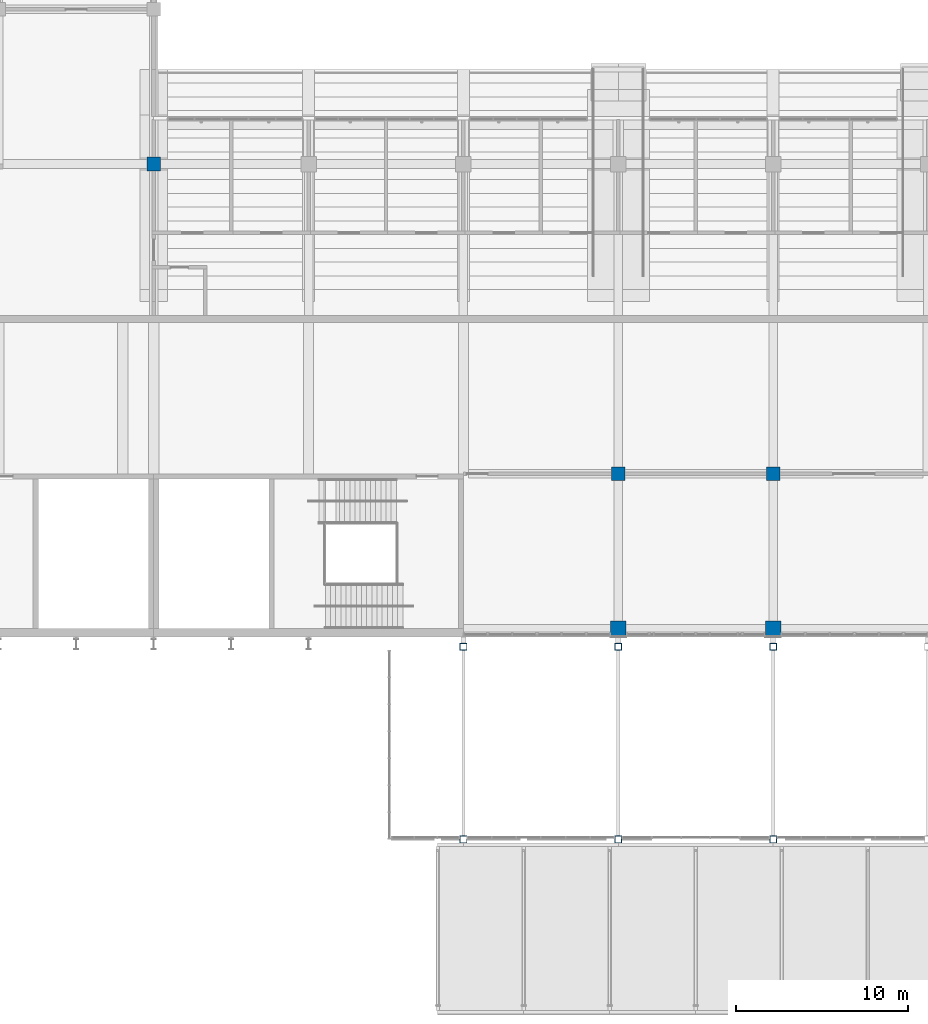
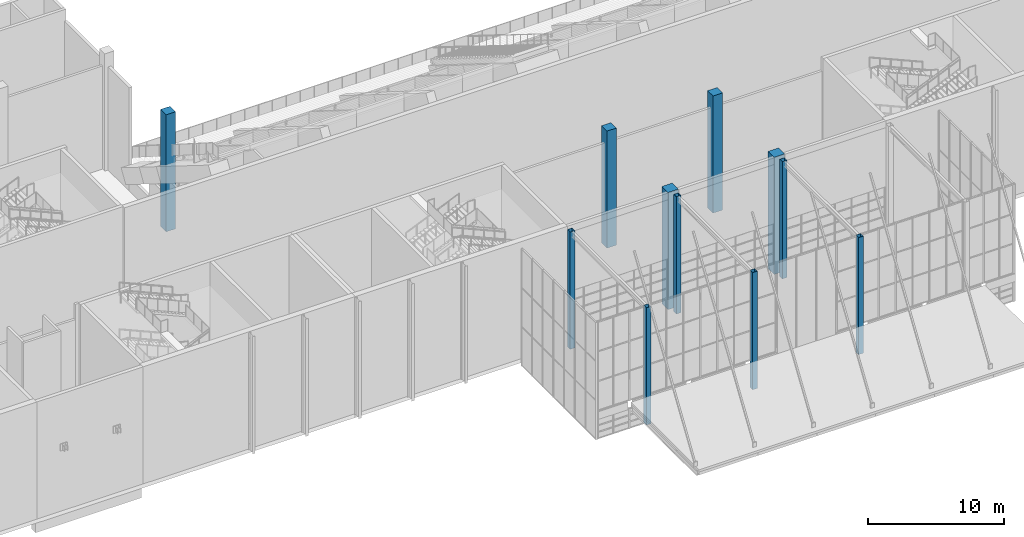
# One storey, part 3 of 182: 11 columns.
"""IFC4 building model written with IfcOpenShell, lengths in metres."""

from ifc_helpers import new_model, si_unit, direction, frame, origin, origin_2d, place, context, subcontext, project, spatial, rectangle, hollow_rectangle, extrude, material, material_profile, profile_set, type_object, element, save


model = new_model("IFC4")

# Units and contexts
model_context = context("Model", 3, precision=1e-05, world=origin(), true_north=direction((0.0, 1.0)))
body_context = subcontext(model_context, "Body", "Model", "MODEL_VIEW")
ifc_project = project(units=[si_unit("LENGTHUNIT", "METRE"), si_unit("AREAUNIT", "SQUARE_METRE"), si_unit("VOLUMEUNIT", "CUBIC_METRE"), si_unit("PLANEANGLEUNIT", "RADIAN"), si_unit("MASSUNIT", "GRAM", prefix="KILO")], contexts=[model_context])

# Site, building, storey
site_placement = place(None, origin())
site = spatial("IfcSite", under=ifc_project, at=site_placement, CompositionType="ELEMENT")
building_placement = place(site_placement, origin())
building = spatial("IfcBuilding", under=site, at=building_placement, Name="Silverbay Arena", CompositionType="ELEMENT")
storey_placement = place(building_placement, frame((0.0, 0.0, 11.5)))
storey = spatial("IfcBuildingStorey", under=building, at=storey_placement, Name="L02", CompositionType="ELEMENT", Elevation=11.5)

# Columns
ifc_material_1 = material(Name="Steel S355", Category="steel")
ifc_material_profile_1 = material_profile(ifc_material_1, hollow_rectangle(XDim=0.39990234375, YDim=0.39990234375, WallThickness=0.01611328125, at=origin_2d()), Name="SHS 400x400x16")
ifc_profile_set_1 = profile_set([ifc_material_profile_1], Name="Steel S355")
column_type_1 = type_object("IfcColumnType", Name="Hall column SHS 400x400x16", PredefinedType="COLUMN", material=ifc_profile_set_1)
for number, where, z_axis, x_axis, name in (
    (1, (117.0, 5.75, 0.0), (0.0, 0.0, 1.0), (1.0, 0.0, 0.0), "South entrance hall S1 column F1"),
    (2, (117.0, 16.949951171875, 0.0), (0.0, 0.0, 1.0), (1.0, 0.0, 0.0), "South entrance hall S1 column B1"),
    (3, (126.0, 5.75, 0.0), (0.0, 0.0, 1.0), (1.0, 0.0, 0.0), "South entrance hall S1 column F2"),
    (4, (126.0, 16.949951171875, 0.0), (0.0, 0.0, 1.0), (1.0, 0.0, 0.0), "South entrance hall S1 column B2"),
    (5, (135.0, 5.75, 0.0), (0.0, 0.0, 1.0), (1.0, 0.0, 0.0), "South entrance hall S1 column F3"),
    (6, (135.0, 16.949951171875, 0.0), (0.0, 0.0, 1.0), (1.0, 0.0, 0.0), "South entrance hall S1 column B3"),
):
    element("IfcColumn", number, at=place(storey_placement, frame(where, z_axis=z_axis, x_axis=x_axis)), inside=storey, type_object=column_type_1, Name=name, PredefinedType="COLUMN", context=body_context, shape_type="SweptSolid", body=[
        extrude(hollow_rectangle(XDim=0.39990234375, YDim=0.39990234375, WallThickness=0.01611328125, at=origin_2d()), origin(), (0.0, 0.0, 1.0), 10.5),
    ])
ifc_material_2 = material(Name="Concrete Grade C45", Category="concrete")
ifc_material_profile_2 = material_profile(ifc_material_2, rectangle(XDim=0.800048828125, YDim=0.800048828125, at=origin_2d()), Name="RC 800x800")
ifc_profile_set_2 = profile_set([ifc_material_profile_2], Name="Concrete Grade C45")
column_type_2 = type_object("IfcColumnType", Name="RC column 800x800", PredefinedType="COLUMN", material=ifc_profile_set_2)
for number, where, z_axis, x_axis, name in (
    (7, (126.0, 27.0, 0.0), (0.0, 0.0, 1.0), (1.0, 0.0, 0.0), "Column 15/D L02"),
    (8, (135.0, 27.0, 0.0), (0.0, 0.0, 1.0), (1.0, 0.0, 0.0), "Column 16/D L02"),
    (9, (99.0, 45.0, 0.0), (0.0, 0.0, 1.0), (1.0, 0.0, 0.0), "Column 12/F L02"),
):
    element("IfcColumn", number, at=place(storey_placement, frame(where, z_axis=z_axis, x_axis=x_axis)), inside=storey, type_object=column_type_2, Name=name, PredefinedType="COLUMN", context=body_context, shape_type="SweptSolid", body=[
        extrude(rectangle(XDim=0.800048828125, YDim=0.800048828125, at=origin_2d()), origin(), (0.0, 0.0, 1.0), 10.5),
    ])
ifc_material_3 = material(Name="Concrete Grade C45", Category="concrete")
ifc_material_profile_3 = material_profile(ifc_material_3, rectangle(XDim=0.89990234375, YDim=0.89990234375, at=origin_2d()), Name="RC 900x900")
ifc_profile_set_3 = profile_set([ifc_material_profile_3], Name="Concrete Grade C45")
column_type_3 = type_object("IfcColumnType", Name="RC column 900x900", PredefinedType="COLUMN", material=ifc_profile_set_3)
for number, where, z_axis, x_axis, name in (
    (10, (126.0, 18.0, 0.0), (0.0, 0.0, 1.0), (1.0, 0.0, 0.0), "Column 15/C L02"),
    (11, (135.0, 18.0, 0.0), (0.0, 0.0, 1.0), (1.0, 0.0, 0.0), "Column 16/C L02"),
):
    element("IfcColumn", number, at=place(storey_placement, frame(where, z_axis=z_axis, x_axis=x_axis)), inside=storey, type_object=column_type_3, Name=name, PredefinedType="COLUMN", context=body_context, shape_type="SweptSolid", body=[
        extrude(rectangle(XDim=0.89990234375, YDim=0.89990234375, at=origin_2d()), origin(), (0.0, 0.0, 1.0), 10.5),
    ])

save(model, "model.ifc")
